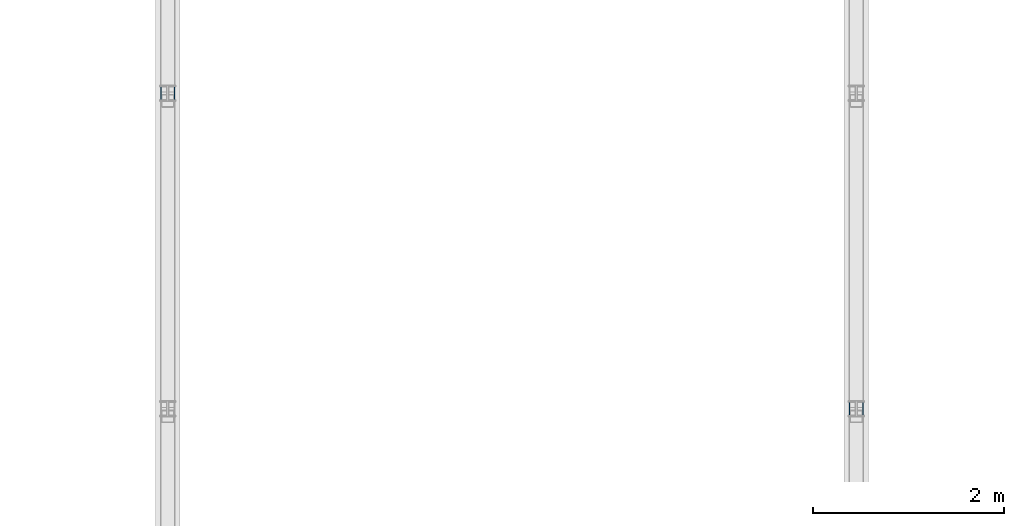
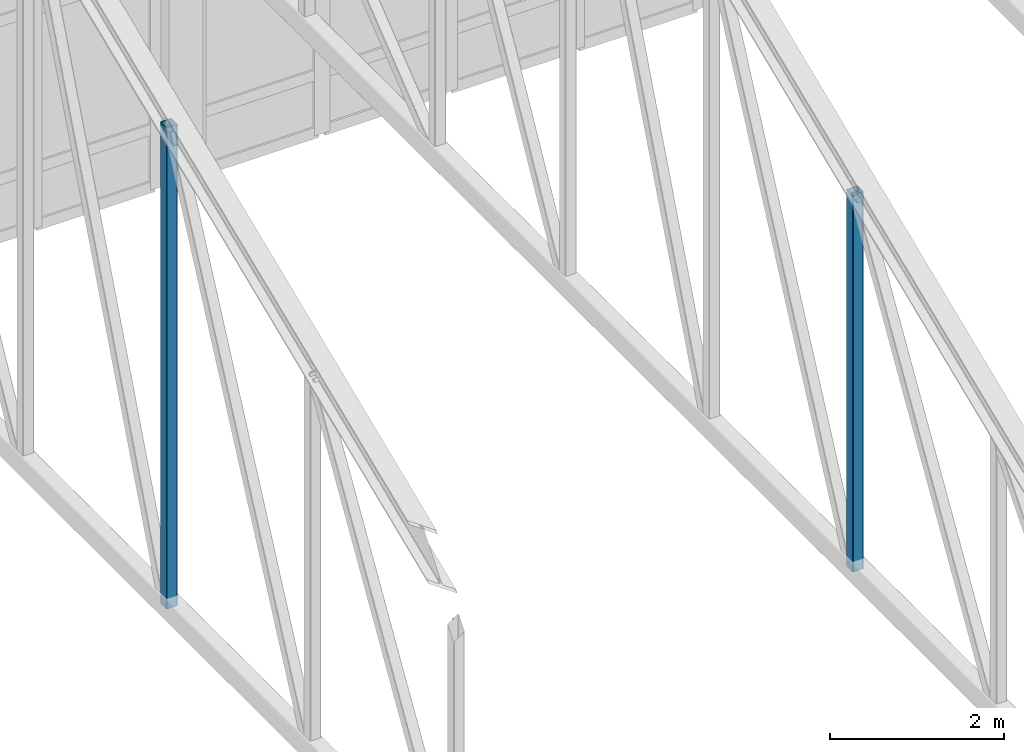
# One storey, part 23 of 136: 2 members.
"""IFC4 building model written with IfcOpenShell, lengths in metres."""

from ifc_helpers import new_model, si_unit, direction, frame, origin, origin_2d, place, context, subcontext, project, spatial, hollow_rectangle, extrude, material, material_profile, profile_set, type_object, element, save


model = new_model("IFC4")

# Units and contexts
model_context = context("Model", 3, precision=1e-05, world=origin(), true_north=direction((0.0, 1.0)))
body_context = subcontext(model_context, "Body", "Model", "MODEL_VIEW")
ifc_project = project(units=[si_unit("LENGTHUNIT", "METRE"), si_unit("AREAUNIT", "SQUARE_METRE"), si_unit("VOLUMEUNIT", "CUBIC_METRE"), si_unit("PLANEANGLEUNIT", "RADIAN"), si_unit("MASSUNIT", "GRAM", prefix="KILO")], contexts=[model_context])

# Site, building, storey
site_placement = place(None, origin())
site = spatial("IfcSite", under=ifc_project, at=site_placement, CompositionType="ELEMENT")
building_placement = place(site_placement, origin())
building = spatial("IfcBuilding", under=site, at=building_placement, Name="Koriwan Promenade Central Fire Station", CompositionType="ELEMENT")
storey_placement = place(building_placement, frame((0.0, 0.0, 5.39990234375)))
storey = spatial("IfcBuildingStorey", under=building, at=storey_placement, Name="L01", CompositionType="ELEMENT", Elevation=5.39990234375)

# Members
ifc_material = material(Name="Steel ASTM A500 Grade C", Category="steel")
ifc_material_profile = material_profile(ifc_material, hollow_rectangle(XDim=0.14990234375, YDim=0.14990234375, WallThickness=0.008056640625, InnerFilletRadius=0.008056640625, OuterFilletRadius=0.01611328125, at=origin_2d()), Name="HSS150x150x8")
ifc_profile_set = profile_set([ifc_material_profile], Name="Steel ASTM A500 Grade C")
member_type = type_object("IfcMemberType", Name="Member_STRUT_HSS150x150x8", PredefinedType="STRUT", material=ifc_profile_set)
member_1_placement = place(storey_placement, frame((72.0, 59.699951171875, 4.02001953125), z_axis=(0.0, 0.0, 1.0), x_axis=(1.0, 0.0, 0.0)))
element("IfcMember", 1, at=member_1_placement, inside=storey, type_object=member_type, Name="TR_V1_03 vertical 5", PredefinedType="STRUT", context=body_context, shape_type="SweptSolid", body=[
    extrude(hollow_rectangle(XDim=0.14990234375, YDim=0.14990234375, WallThickness=0.008056640625, InnerFilletRadius=0.008056640625, OuterFilletRadius=0.01611328125, at=origin_2d()), origin(), (0.0, 0.0, 1.0), 6.753662109375),
])
member_2_placement = place(storey_placement, frame((79.199951171875, 56.39990234375, 4.02001953125), z_axis=(0.0, 0.0, 1.0), x_axis=(1.0, 0.0, 0.0)))
element("IfcMember", 2, at=member_2_placement, inside=storey, type_object=member_type, Name="TR_V1_04 vertical 4", PredefinedType="STRUT", context=body_context, shape_type="SweptSolid", body=[
    extrude(hollow_rectangle(XDim=0.14990234375, YDim=0.14990234375, WallThickness=0.008056640625, InnerFilletRadius=0.008056640625, OuterFilletRadius=0.01611328125, at=origin_2d()), origin(), (0.0, 0.0, 1.0), 5.287109375),
])

save(model, "model.ifc")
